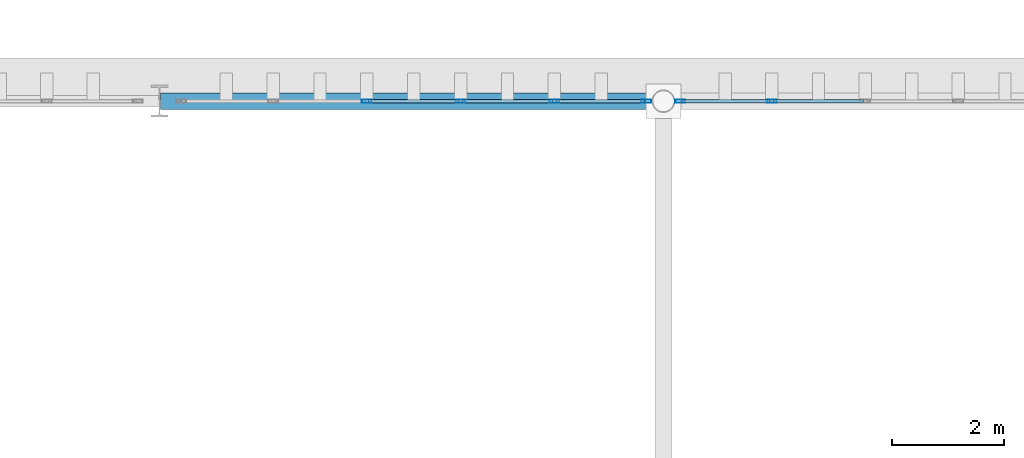
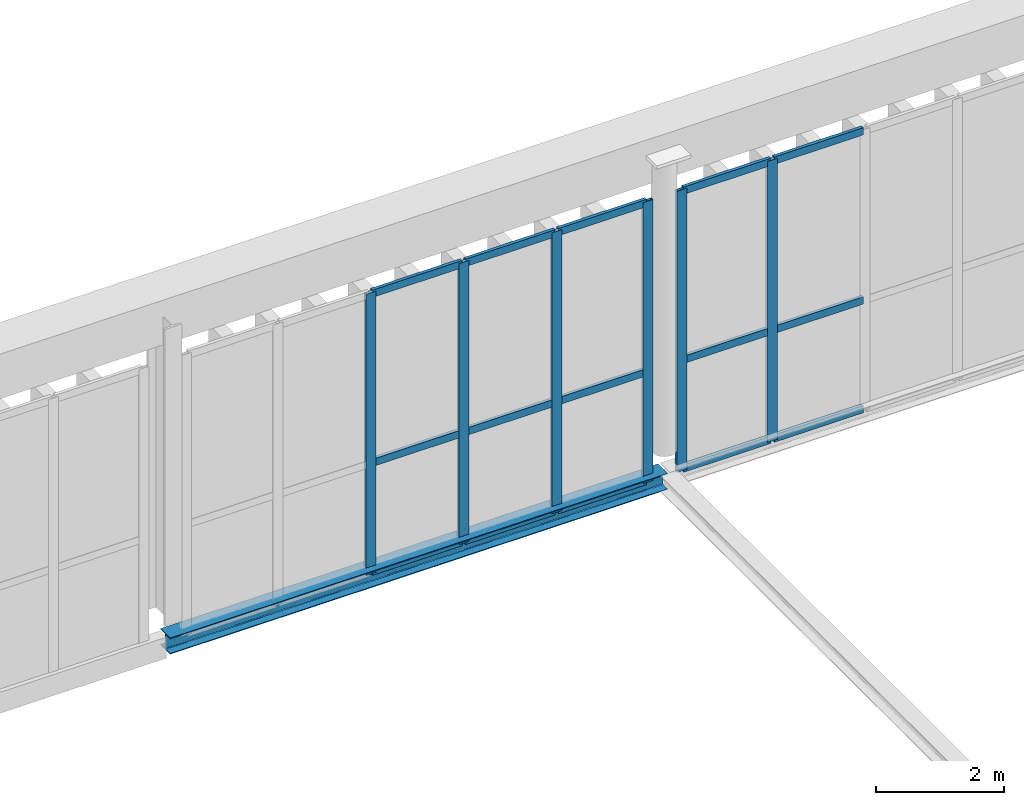
# One storey, part 171 of 237: 21 members, 1 beam, 2 elements without a shape of their own.
"""IFC4 building model written with IfcOpenShell, lengths in metres."""

from ifc_helpers import new_model, si_unit, direction, frame, origin, origin_2d, place, context, subcontext, project, spatial, hollow_rectangle, i_section, extrude, material, layer, layer_set, material_profile, profile_set, type_object, element, aggregate, save


model = new_model("IFC4")

# Units and contexts
model_context = context("Model", 3, precision=1e-05, world=origin(), true_north=direction((0.0, 1.0)))
body_context = subcontext(model_context, "Body", "Model", "MODEL_VIEW")
ifc_project = project(units=[si_unit("LENGTHUNIT", "METRE"), si_unit("AREAUNIT", "SQUARE_METRE"), si_unit("VOLUMEUNIT", "CUBIC_METRE"), si_unit("PLANEANGLEUNIT", "RADIAN"), si_unit("MASSUNIT", "GRAM", prefix="KILO")], contexts=[model_context])

# Site, building, storey
site_placement = place(None, origin())
site = spatial("IfcSite", under=ifc_project, at=site_placement, CompositionType="ELEMENT")
building_placement = place(site_placement, origin())
building = spatial("IfcBuilding", under=site, at=building_placement, Name="Barlavento Convention Centre", CompositionType="ELEMENT")
storey_placement = place(building_placement, frame((0.0, 0.0, 12.0)))
storey = spatial("IfcBuildingStorey", under=building, at=storey_placement, Name="L02", CompositionType="ELEMENT", Elevation=12.0)

# Curtain wall, members
ifc_material_1 = material(Name="Powder-coated aluminium and Low-E glass", Category="aluminium")
ifc_layer = layer(ifc_material_1, 0.18505859375)
ifc_layer_set = layer_set([ifc_layer], Name="ARC-CW-EXH-L02")
curtain_wall_type = type_object("IfcCurtainWallType", Name="ARC-CW-EXH-L02", PredefinedType="NOTDEFINED", material=ifc_layer_set)
curtain_wall_1_placement = place(storey_placement, origin())
curtain_wall_1 = element("IfcCurtainWall", 1, at=curtain_wall_1_placement, inside=storey, type_object=curtain_wall_type, Name="L02 unitised curtain wall CW05", PredefinedType="NOTDEFINED")
ifc_material_2 = material(Name="Powder-coated aluminium", Category="aluminium")
ifc_material_profile_1 = material_profile(ifc_material_2, hollow_rectangle(XDim=0.06005859375, YDim=0.179931640625, WallThickness=0.0048828125, at=origin_2d()), Name="AL-MULL 60x180x5")
ifc_profile_set_1 = profile_set([ifc_material_profile_1], Name="Powder-coated aluminium")
member_type_1 = type_object("IfcMemberType", Name="ARC-CWM-60X180", PredefinedType="MULLION", material=ifc_profile_set_1)
member_1_placement = place(storey_placement, frame((48.704345703125, 135.0, -0.5), z_axis=(0.0, 0.0, 1.0), x_axis=(0.0, 1.0, 0.0)))
member_1 = element("IfcMember", 2, at=member_1_placement, type_object=member_type_1, Name="CW05 mullion 3", PredefinedType="MULLION", context=body_context, shape_type="SweptSolid", body=[
    extrude(hollow_rectangle(XDim=0.06005859375, YDim=0.179931640625, WallThickness=0.0048828125, at=origin_2d()), origin(), (0.0, 0.0, 1.0), 5.35009765625),
])
member_2_placement = place(storey_placement, frame((50.37841796875, 135.0, -0.5), z_axis=(0.0, 0.0, 1.0), x_axis=(0.0, 1.0, 0.0)))
member_2 = element("IfcMember", 3, at=member_2_placement, type_object=member_type_1, Name="CW05 mullion 4", PredefinedType="MULLION", context=body_context, shape_type="SweptSolid", body=[
    extrude(hollow_rectangle(XDim=0.06005859375, YDim=0.179931640625, WallThickness=0.0048828125, at=origin_2d()), origin(), (0.0, 0.0, 1.0), 5.35009765625),
])
member_3_placement = place(storey_placement, frame((52.052734375, 135.0, -0.5), z_axis=(0.0, 0.0, 1.0), x_axis=(0.0, 1.0, 0.0)))
member_3 = element("IfcMember", 4, at=member_3_placement, type_object=member_type_1, Name="CW05 mullion 5", PredefinedType="MULLION", context=body_context, shape_type="SweptSolid", body=[
    extrude(hollow_rectangle(XDim=0.06005859375, YDim=0.179931640625, WallThickness=0.0048828125, at=origin_2d()), origin(), (0.0, 0.0, 1.0), 5.35009765625),
])
member_4_placement = place(storey_placement, frame((53.69677734375, 135.0, -0.5), z_axis=(0.0, 0.0, 1.0), x_axis=(0.0, 1.0, 0.0)))
member_4 = element("IfcMember", 5, at=member_4_placement, type_object=member_type_1, Name="CW05 mullion 6", PredefinedType="MULLION", context=body_context, shape_type="SweptSolid", body=[
    extrude(hollow_rectangle(XDim=0.06005859375, YDim=0.179931640625, WallThickness=0.0048828125, at=origin_2d()), origin(), (0.0, 0.0, 1.0), 5.35009765625),
])

curtain_wall_2_placement = place(storey_placement, origin())
curtain_wall_2 = element("IfcCurtainWall", 6, at=curtain_wall_2_placement, inside=storey, type_object=curtain_wall_type, Name="L02 unitised curtain wall CW05", PredefinedType="NOTDEFINED")
member_5_placement = place(storey_placement, frame((54.30322265625, 135.0, -0.5), z_axis=(0.0, 0.0, 1.0), x_axis=(0.0, 1.0, 0.0)))
member_5 = element("IfcMember", 7, at=member_5_placement, type_object=member_type_1, Name="CW05 mullion 1", PredefinedType="MULLION", context=body_context, shape_type="SweptSolid", body=[
    extrude(hollow_rectangle(XDim=0.06005859375, YDim=0.179931640625, WallThickness=0.0048828125, at=origin_2d()), origin(), (0.0, 0.0, 1.0), 5.35009765625),
])
member_6_placement = place(storey_placement, frame((55.937744140625, 135.0, -0.5), z_axis=(0.0, 0.0, 1.0), x_axis=(0.0, 1.0, 0.0)))
member_6 = element("IfcMember", 8, at=member_6_placement, type_object=member_type_1, Name="CW05 mullion 2", PredefinedType="MULLION", context=body_context, shape_type="SweptSolid", body=[
    extrude(hollow_rectangle(XDim=0.06005859375, YDim=0.179931640625, WallThickness=0.0048828125, at=origin_2d()), origin(), (0.0, 0.0, 1.0), 5.35009765625),
])

# Member
ifc_material_profile_2 = material_profile(ifc_material_2, hollow_rectangle(XDim=0.06005859375, YDim=0.139892578125, WallThickness=0.00390625, at=origin_2d()), Name="AL-TRAN 60x140x4")
ifc_profile_set_2 = profile_set([ifc_material_profile_2], Name="Powder-coated aluminium")
member_type_2 = type_object("IfcMemberType", Name="ARC-CWT-60X140", PredefinedType="USERDEFINED", material=ifc_profile_set_2)
member_7_placement = place(storey_placement, frame((48.734375, 135.0, -0.469970703125), z_axis=(1.0, 0.0, 0.0), x_axis=(0.0, 1.0, 0.0)))
member_7 = element("IfcMember", 9, at=member_7_placement, type_object=member_type_2, Name="CW05 transom 3.1", ObjectType="TRANSOM", PredefinedType="USERDEFINED", context=body_context, shape_type="SweptSolid", body=[
    extrude(hollow_rectangle(XDim=0.06005859375, YDim=0.139892578125, WallThickness=0.00390625, at=origin_2d()), origin(), (0.0, 0.0, 1.0), 1.614013671875),
])

member_8_placement = place(storey_placement, frame((48.734375, 135.0, 1.60009765625), z_axis=(1.0, 0.0, 0.0), x_axis=(0.0, 1.0, 0.0)))
member_8 = element("IfcMember", 10, at=member_8_placement, type_object=member_type_2, Name="CW05 transom 3.2", ObjectType="TRANSOM", PredefinedType="USERDEFINED", context=body_context, shape_type="SweptSolid", body=[
    extrude(hollow_rectangle(XDim=0.06005859375, YDim=0.139892578125, WallThickness=0.00390625, at=origin_2d()), origin(), (0.0, 0.0, 1.0), 1.614013671875),
])

member_9_placement = place(storey_placement, frame((48.734375, 135.0, 4.820068359375), z_axis=(1.0, 0.0, 0.0), x_axis=(0.0, 1.0, 0.0)))
member_9 = element("IfcMember", 11, at=member_9_placement, type_object=member_type_2, Name="CW05 transom 3.3", ObjectType="TRANSOM", PredefinedType="USERDEFINED", context=body_context, shape_type="SweptSolid", body=[
    extrude(hollow_rectangle(XDim=0.06005859375, YDim=0.139892578125, WallThickness=0.00390625, at=origin_2d()), origin(), (0.0, 0.0, 1.0), 1.614013671875),
])

member_10_placement = place(storey_placement, frame((50.408447265625, 135.0, -0.469970703125), z_axis=(1.0, 0.0, 0.0), x_axis=(0.0, 1.0, 0.0)))
member_10 = element("IfcMember", 12, at=member_10_placement, type_object=member_type_2, Name="CW05 transom 4.1", ObjectType="TRANSOM", PredefinedType="USERDEFINED", context=body_context, shape_type="SweptSolid", body=[
    extrude(hollow_rectangle(XDim=0.06005859375, YDim=0.139892578125, WallThickness=0.00390625, at=origin_2d()), origin(), (0.0, 0.0, 1.0), 1.6142578125),
])

member_11_placement = place(storey_placement, frame((50.408447265625, 135.0, 1.60009765625), z_axis=(1.0, 0.0, 0.0), x_axis=(0.0, 1.0, 0.0)))
member_11 = element("IfcMember", 13, at=member_11_placement, type_object=member_type_2, Name="CW05 transom 4.2", ObjectType="TRANSOM", PredefinedType="USERDEFINED", context=body_context, shape_type="SweptSolid", body=[
    extrude(hollow_rectangle(XDim=0.06005859375, YDim=0.139892578125, WallThickness=0.00390625, at=origin_2d()), origin(), (0.0, 0.0, 1.0), 1.6142578125),
])

member_12_placement = place(storey_placement, frame((50.408447265625, 135.0, 4.820068359375), z_axis=(1.0, 0.0, 0.0), x_axis=(0.0, 1.0, 0.0)))
member_12 = element("IfcMember", 14, at=member_12_placement, type_object=member_type_2, Name="CW05 transom 4.3", ObjectType="TRANSOM", PredefinedType="USERDEFINED", context=body_context, shape_type="SweptSolid", body=[
    extrude(hollow_rectangle(XDim=0.06005859375, YDim=0.139892578125, WallThickness=0.00390625, at=origin_2d()), origin(), (0.0, 0.0, 1.0), 1.6142578125),
])

member_13_placement = place(storey_placement, frame((52.08251953125, 135.0, -0.469970703125), z_axis=(1.0, 0.0, 0.0), x_axis=(0.0, 1.0, 0.0)))
member_13 = element("IfcMember", 15, at=member_13_placement, type_object=member_type_2, Name="CW05 transom 5.1", ObjectType="TRANSOM", PredefinedType="USERDEFINED", context=body_context, shape_type="SweptSolid", body=[
    extrude(hollow_rectangle(XDim=0.06005859375, YDim=0.139892578125, WallThickness=0.00390625, at=origin_2d()), origin(), (0.0, 0.0, 1.0), 1.584228515625),
])

member_14_placement = place(storey_placement, frame((52.08251953125, 135.0, 1.60009765625), z_axis=(1.0, 0.0, 0.0), x_axis=(0.0, 1.0, 0.0)))
member_14 = element("IfcMember", 16, at=member_14_placement, type_object=member_type_2, Name="CW05 transom 5.2", ObjectType="TRANSOM", PredefinedType="USERDEFINED", context=body_context, shape_type="SweptSolid", body=[
    extrude(hollow_rectangle(XDim=0.06005859375, YDim=0.139892578125, WallThickness=0.00390625, at=origin_2d()), origin(), (0.0, 0.0, 1.0), 1.584228515625),
])

member_15_placement = place(storey_placement, frame((52.08251953125, 135.0, 4.820068359375), z_axis=(1.0, 0.0, 0.0), x_axis=(0.0, 1.0, 0.0)))
member_15 = element("IfcMember", 17, at=member_15_placement, type_object=member_type_2, Name="CW05 transom 5.3", ObjectType="TRANSOM", PredefinedType="USERDEFINED", context=body_context, shape_type="SweptSolid", body=[
    extrude(hollow_rectangle(XDim=0.06005859375, YDim=0.139892578125, WallThickness=0.00390625, at=origin_2d()), origin(), (0.0, 0.0, 1.0), 1.584228515625),
])

aggregate(curtain_wall_1, [member_1, member_2, member_3, member_4, member_7, member_8, member_9, member_10, member_11, member_12, member_13, member_14, member_15])

member_16_placement = place(storey_placement, frame((54.333251953125, 135.0, -0.469970703125), z_axis=(1.0, 0.0, 0.0), x_axis=(0.0, 1.0, 0.0)))
member_16 = element("IfcMember", 18, at=member_16_placement, type_object=member_type_2, Name="CW05 transom 1.1", ObjectType="TRANSOM", PredefinedType="USERDEFINED", context=body_context, shape_type="SweptSolid", body=[
    extrude(hollow_rectangle(XDim=0.06005859375, YDim=0.139892578125, WallThickness=0.00390625, at=origin_2d()), origin(), (0.0, 0.0, 1.0), 1.574462890625),
])

member_17_placement = place(storey_placement, frame((54.333251953125, 135.0, 1.60009765625), z_axis=(1.0, 0.0, 0.0), x_axis=(0.0, 1.0, 0.0)))
member_17 = element("IfcMember", 19, at=member_17_placement, type_object=member_type_2, Name="CW05 transom 1.2", ObjectType="TRANSOM", PredefinedType="USERDEFINED", context=body_context, shape_type="SweptSolid", body=[
    extrude(hollow_rectangle(XDim=0.06005859375, YDim=0.139892578125, WallThickness=0.00390625, at=origin_2d()), origin(), (0.0, 0.0, 1.0), 1.574462890625),
])

member_18_placement = place(storey_placement, frame((54.333251953125, 135.0, 4.820068359375), z_axis=(1.0, 0.0, 0.0), x_axis=(0.0, 1.0, 0.0)))
member_18 = element("IfcMember", 20, at=member_18_placement, type_object=member_type_2, Name="CW05 transom 1.3", ObjectType="TRANSOM", PredefinedType="USERDEFINED", context=body_context, shape_type="SweptSolid", body=[
    extrude(hollow_rectangle(XDim=0.06005859375, YDim=0.139892578125, WallThickness=0.00390625, at=origin_2d()), origin(), (0.0, 0.0, 1.0), 1.574462890625),
])

member_19_placement = place(storey_placement, frame((55.9677734375, 135.0, -0.469970703125), z_axis=(1.0, 0.0, 0.0), x_axis=(0.0, 1.0, 0.0)))
member_19 = element("IfcMember", 21, at=member_19_placement, type_object=member_type_2, Name="CW05 transom 2.1", ObjectType="TRANSOM", PredefinedType="USERDEFINED", context=body_context, shape_type="SweptSolid", body=[
    extrude(hollow_rectangle(XDim=0.06005859375, YDim=0.139892578125, WallThickness=0.00390625, at=origin_2d()), origin(), (0.0, 0.0, 1.0), 1.6044921875),
])

member_20_placement = place(storey_placement, frame((55.9677734375, 135.0, 1.60009765625), z_axis=(1.0, 0.0, 0.0), x_axis=(0.0, 1.0, 0.0)))
member_20 = element("IfcMember", 22, at=member_20_placement, type_object=member_type_2, Name="CW05 transom 2.2", ObjectType="TRANSOM", PredefinedType="USERDEFINED", context=body_context, shape_type="SweptSolid", body=[
    extrude(hollow_rectangle(XDim=0.06005859375, YDim=0.139892578125, WallThickness=0.00390625, at=origin_2d()), origin(), (0.0, 0.0, 1.0), 1.6044921875),
])

member_21_placement = place(storey_placement, frame((55.9677734375, 135.0, 4.820068359375), z_axis=(1.0, 0.0, 0.0), x_axis=(0.0, 1.0, 0.0)))
member_21 = element("IfcMember", 23, at=member_21_placement, type_object=member_type_2, Name="CW05 transom 2.3", ObjectType="TRANSOM", PredefinedType="USERDEFINED", context=body_context, shape_type="SweptSolid", body=[
    extrude(hollow_rectangle(XDim=0.06005859375, YDim=0.139892578125, WallThickness=0.00390625, at=origin_2d()), origin(), (0.0, 0.0, 1.0), 1.6044921875),
])

aggregate(curtain_wall_2, [member_5, member_6, member_16, member_17, member_18, member_19, member_20, member_21])

# Beam
ifc_material_3 = material(Name="Steel S355", Category="steel")
ifc_material_profile_3 = material_profile(ifc_material_3, i_section(OverallWidth=0.300048828125, OverallDepth=0.31005859375, WebThickness=0.009033203125, FlangeThickness=0.015380859375, FilletRadius=0.027099609375, at=origin_2d()), Name="HEA 320")
ifc_profile_set_3 = profile_set([ifc_material_profile_3], Name="Steel S355")
beam_type = type_object("IfcBeamType", Name="STR-BM-SPN-HEA320", PredefinedType="SPANDREL", material=ifc_profile_set_3)
beam_placement = place(storey_placement, frame((45.02001953125, 135.0, -0.514892578125), z_axis=(1.0, 0.0, 0.0), x_axis=(0.0, 1.0, 0.0)))
element("IfcBeam", 24, at=beam_placement, inside=storey, type_object=beam_type, Name="L02 primary girder SP01", PredefinedType="SPANDREL", context=body_context, shape_type="SweptSolid", body=[
    extrude(i_section(OverallWidth=0.300048828125, OverallDepth=0.31005859375, WebThickness=0.009033203125, FlangeThickness=0.015380859375, FilletRadius=0.027099609375, at=origin_2d()), origin(), (0.0, 0.0, 1.0), 8.9599609375),
])

save(model, "model.ifc")
